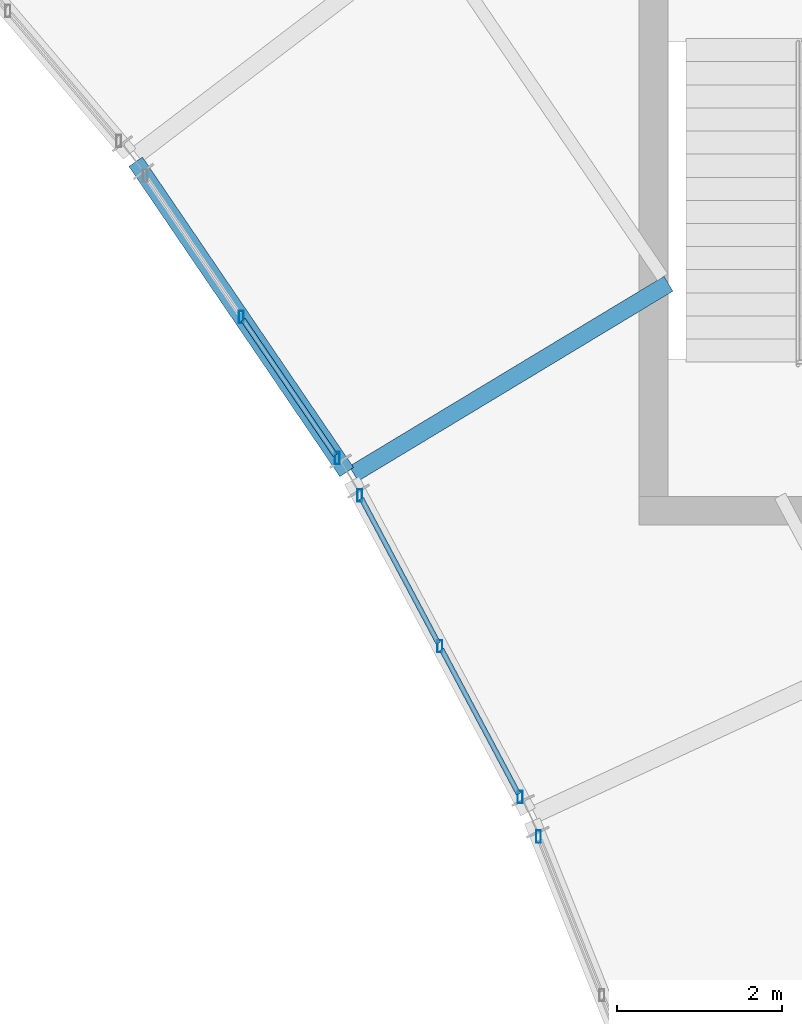
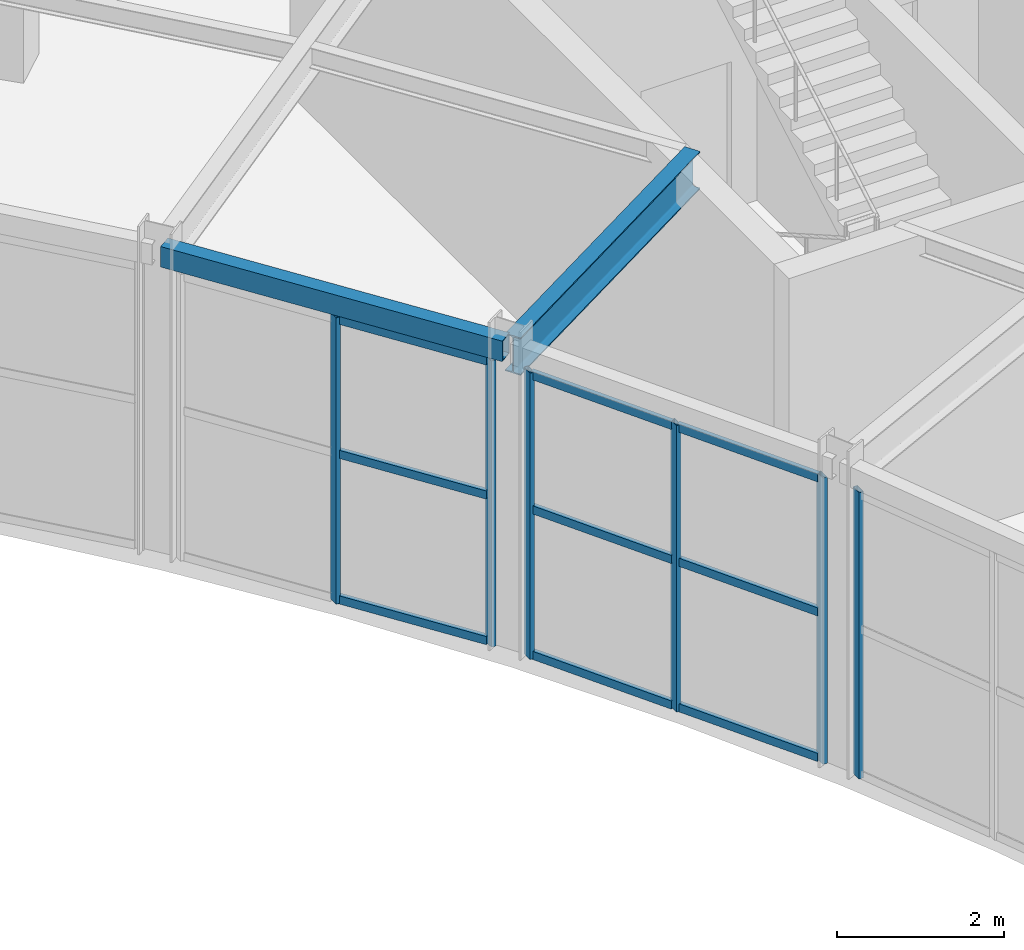
# One storey, part 72 of 108: 15 members, 2 beams, 3 elements without a shape of their own.
"""IFC4 building model written with IfcOpenShell, lengths in metres."""

from ifc_helpers import new_model, si_unit, direction, frame, origin, origin_2d, place, context, subcontext, project, spatial, hollow_rectangle, i_section, extrude, material, material_profile, profile_set, type_object, element, aggregate, save


model = new_model("IFC4")

# Units and contexts
model_context = context("Model", 3, precision=1e-05, world=origin(), true_north=direction((0.0, 1.0)))
body_context = subcontext(model_context, "Body", "Model", "MODEL_VIEW")
ifc_project = project(units=[si_unit("LENGTHUNIT", "METRE"), si_unit("AREAUNIT", "SQUARE_METRE"), si_unit("VOLUMEUNIT", "CUBIC_METRE"), si_unit("PLANEANGLEUNIT", "RADIAN"), si_unit("MASSUNIT", "GRAM", prefix="KILO")], contexts=[model_context])

# Site, building, storey
site_placement = place(None, origin())
site = spatial("IfcSite", under=ifc_project, at=site_placement, CompositionType="ELEMENT")
building_placement = place(site_placement, origin())
building = spatial("IfcBuilding", under=site, at=building_placement, Name="Tarnveldt Headland Concert Hall", CompositionType="ELEMENT")
storey_placement = place(building_placement, frame((0.0, 0.0, 9.60009765625)))
storey = spatial("IfcBuildingStorey", under=building, at=storey_placement, Name="L02", CompositionType="ELEMENT", Elevation=9.60009765625)

# Curtain wall, member
ifc_material_1 = material(Name="Marine-anodised aluminium EN AW-6063-T6", Category="aluminium")
curtain_wall_type = type_object("IfcCurtainWallType", Name="CW-C3", PredefinedType="NOTDEFINED", material=ifc_material_1)
curtain_wall_1_placement = place(storey_placement, origin())
curtain_wall_1 = element("IfcCurtainWall", 1, at=curtain_wall_1_placement, inside=storey, type_object=curtain_wall_type, Name="Curtain wall CW-L02-130", PredefinedType="NOTDEFINED")
ifc_material_profile_1 = material_profile(ifc_material_1, hollow_rectangle(XDim=0.06005859375, YDim=0.14990234375, WallThickness=0.00390625, at=origin_2d()), Name="ALU MULLION 60x150x4", Category="aluminium")
ifc_profile_set_1 = profile_set([ifc_material_profile_1], Name="Marine-anodised aluminium EN AW-6063-T6")
member_type_1 = type_object("IfcMemberType", Name="ML-150", PredefinedType="MULLION", material=ifc_profile_set_1)
member_1_placement = place(storey_placement, frame((156.604736328125, 77.850830078125, 0.0), z_axis=(0.0, 0.0, 1.0), x_axis=(1.0, 0.0, 0.0)))
member_1 = element("IfcMember", 2, at=member_1_placement, type_object=member_type_1, Name="Mullion CW-L02-130-3", PredefinedType="MULLION", context=body_context, shape_type="SweptSolid", body=[
    extrude(hollow_rectangle(XDim=0.06005859375, YDim=0.14990234375, WallThickness=0.00390625, at=origin_2d()), origin(), (0.0, 0.0, 1.0), 4.18994140625),
])
aggregate(curtain_wall_1, [member_1])

# Curtain wall, members
curtain_wall_2_placement = place(storey_placement, origin())
curtain_wall_2 = element("IfcCurtainWall", 3, at=curtain_wall_2_placement, inside=storey, type_object=curtain_wall_type, Name="Curtain wall CW-L02-131", PredefinedType="NOTDEFINED")
member_2_placement = place(storey_placement, frame((156.382080078125, 78.3310546875, 0.0), z_axis=(0.0, 0.0, 1.0), x_axis=(1.0, 0.0, 0.0)))
member_2 = element("IfcMember", 4, at=member_2_placement, type_object=member_type_1, Name="Mullion CW-L02-131-1", PredefinedType="MULLION", context=body_context, shape_type="SweptSolid", body=[
    extrude(hollow_rectangle(XDim=0.06005859375, YDim=0.14990234375, WallThickness=0.00390625, at=origin_2d()), origin(), (0.0, 0.0, 1.0), 4.18994140625),
])
member_3_placement = place(storey_placement, frame((155.410888671875, 80.15771484375, 0.0), z_axis=(0.0, 0.0, 1.0), x_axis=(1.0, 0.0, 0.0)))
member_3 = element("IfcMember", 5, at=member_3_placement, type_object=member_type_1, Name="Mullion CW-L02-131-2", PredefinedType="MULLION", context=body_context, shape_type="SweptSolid", body=[
    extrude(hollow_rectangle(XDim=0.06005859375, YDim=0.14990234375, WallThickness=0.00390625, at=origin_2d()), origin(), (0.0, 0.0, 1.0), 4.18994140625),
])
member_4_placement = place(storey_placement, frame((154.439697265625, 81.984130859375, 0.0), z_axis=(0.0, 0.0, 1.0), x_axis=(1.0, 0.0, 0.0)))
member_4 = element("IfcMember", 6, at=member_4_placement, type_object=member_type_1, Name="Mullion CW-L02-131-3", PredefinedType="MULLION", context=body_context, shape_type="SweptSolid", body=[
    extrude(hollow_rectangle(XDim=0.06005859375, YDim=0.14990234375, WallThickness=0.00390625, at=origin_2d()), origin(), (0.0, 0.0, 1.0), 4.18994140625),
])

curtain_wall_3_placement = place(storey_placement, origin())
curtain_wall_3 = element("IfcCurtainWall", 7, at=curtain_wall_3_placement, inside=storey, type_object=curtain_wall_type, Name="Curtain wall CW-L02-132", PredefinedType="NOTDEFINED")
member_5_placement = place(storey_placement, frame((154.166259765625, 82.437255859375, 0.0), z_axis=(0.0, 0.0, 1.0), x_axis=(1.0, 0.0, 0.0)))
member_5 = element("IfcMember", 8, at=member_5_placement, type_object=member_type_1, Name="Mullion CW-L02-132-1", PredefinedType="MULLION", context=body_context, shape_type="SweptSolid", body=[
    extrude(hollow_rectangle(XDim=0.06005859375, YDim=0.14990234375, WallThickness=0.00390625, at=origin_2d()), origin(), (0.0, 0.0, 1.0), 4.18994140625),
])
member_6_placement = place(storey_placement, frame((153.002685546875, 84.147705078125, 0.0), z_axis=(0.0, 0.0, 1.0), x_axis=(1.0, 0.0, 0.0)))
member_6 = element("IfcMember", 9, at=member_6_placement, type_object=member_type_1, Name="Mullion CW-L02-132-2", PredefinedType="MULLION", context=body_context, shape_type="SweptSolid", body=[
    extrude(hollow_rectangle(XDim=0.06005859375, YDim=0.14990234375, WallThickness=0.00390625, at=origin_2d()), origin(), (0.0, 0.0, 1.0), 4.18994140625),
])

# Beams
ifc_material_2 = material(Name="Steel S355", Category="steel")
ifc_material_profile_2 = material_profile(ifc_material_2, i_section(OverallWidth=0.2099609375, OverallDepth=0.550048828125, WebThickness=0.010986328125, FlangeThickness=0.01708984375, FilletRadius=0.02392578125, at=origin_2d()), Name="IPE550", Category="steel")
ifc_profile_set_2 = profile_set([ifc_material_profile_2], Name="Steel S355")
beam_type_1 = type_object("IfcBeamType", Name="SB-IPE550", PredefinedType="BEAM", material=ifc_profile_set_2)
beam_1_placement = place(storey_placement, frame((154.36669921875, 82.2490234375, 4.27490234375), z_axis=(0.856145433593, 0.516734938375, 0.0), x_axis=(-0.516734938375, 0.856145433593, 0.0)))
element("IfcBeam", 10, at=beam_1_placement, inside=storey, type_object=beam_type_1, Name="Framing beam L02-1136", PredefinedType="BEAM", context=body_context, shape_type="SweptSolid", body=[
    extrude(i_section(OverallWidth=0.2099609375, OverallDepth=0.550048828125, WebThickness=0.010986328125, FlangeThickness=0.01708984375, FilletRadius=0.02392578125, at=origin_2d()), origin(), (0.0, 0.0, 1.0), 4.453857421875),
])
ifc_material_profile_3 = material_profile(ifc_material_2, hollow_rectangle(XDim=0.199951171875, YDim=0.300048828125, WallThickness=0.012451171875, at=origin_2d()), Name="RHS 300x200x12.5", Category="steel")
ifc_profile_set_3 = profile_set([ifc_material_profile_3], Name="Steel S355")
beam_type_2 = type_object("IfcBeamType", Name="SB-RHS300", PredefinedType="SPANDREL", material=ifc_profile_set_3)
beam_2_placement = place(storey_placement, frame((154.281494140625, 82.267578125, 4.39990234375), z_axis=(-0.562406932975, 0.826860593898, 0.0), x_axis=(-0.826860593898, -0.562406932975, 0.0)))
element("IfcBeam", 11, at=beam_2_placement, inside=storey, type_object=beam_type_2, Name="Framing beam L02-1138", PredefinedType="SPANDREL", context=body_context, shape_type="SweptSolid", body=[
    extrude(hollow_rectangle(XDim=0.199951171875, YDim=0.300048828125, WallThickness=0.012451171875, at=origin_2d()), origin(), (0.0, 0.0, 1.0), 4.547607421875),
])

# Member
ifc_material_profile_4 = material_profile(ifc_material_1, hollow_rectangle(XDim=0.06005859375, YDim=0.1201171875, WallThickness=0.00390625, at=origin_2d()), Name="ALU TRANSOM 60x120x4", Category="aluminium")
ifc_profile_set_4 = profile_set([ifc_material_profile_4], Name="Marine-anodised aluminium EN AW-6063-T6")
member_type_2 = type_object("IfcMemberType", Name="TR-110", PredefinedType="MEMBER", material=ifc_profile_set_4)
member_7_placement = place(storey_placement, frame((156.3623046875, 78.3681640625, 0.0498046875), z_axis=(-0.469508932223, 0.882927722163, 0.0), x_axis=(-0.882927722163, -0.469508932223, 0.0)))
member_7 = element("IfcMember", 12, at=member_7_placement, type_object=member_type_2, Name="Transom CW-L02-131-1-1", PredefinedType="MEMBER", context=body_context, shape_type="SweptSolid", body=[
    extrude(hollow_rectangle(XDim=0.06005859375, YDim=0.1201171875, WallThickness=0.00390625, at=origin_2d()), origin(), (0.0, 0.0, 1.0), 1.98486328125),
])

member_8_placement = place(storey_placement, frame((156.3623046875, 78.3681640625, 2.1787109375), z_axis=(-0.469508932223, 0.882927722163, 0.0), x_axis=(-0.882927722163, -0.469508932223, 0.0)))
member_8 = element("IfcMember", 13, at=member_8_placement, type_object=member_type_2, Name="Transom CW-L02-131-1-2", PredefinedType="MEMBER", context=body_context, shape_type="SweptSolid", body=[
    extrude(hollow_rectangle(XDim=0.06005859375, YDim=0.1201171875, WallThickness=0.00390625, at=origin_2d()), origin(), (0.0, 0.0, 1.0), 1.98486328125),
])

member_9_placement = place(storey_placement, frame((156.3623046875, 78.3681640625, 4.139892578125), z_axis=(-0.469508932223, 0.882927722163, 0.0), x_axis=(-0.882927722163, -0.469508932223, 0.0)))
member_9 = element("IfcMember", 14, at=member_9_placement, type_object=member_type_2, Name="Transom CW-L02-131-1-3", PredefinedType="MEMBER", context=body_context, shape_type="SweptSolid", body=[
    extrude(hollow_rectangle(XDim=0.06005859375, YDim=0.1201171875, WallThickness=0.00390625, at=origin_2d()), origin(), (0.0, 0.0, 1.0), 1.98486328125),
])

member_10_placement = place(storey_placement, frame((155.39111328125, 80.194580078125, 0.0498046875), z_axis=(-0.469508932223, 0.882927722163, 0.0), x_axis=(-0.882927722163, -0.469508932223, 0.0)))
member_10 = element("IfcMember", 15, at=member_10_placement, type_object=member_type_2, Name="Transom CW-L02-131-2-1", PredefinedType="MEMBER", context=body_context, shape_type="SweptSolid", body=[
    extrude(hollow_rectangle(XDim=0.06005859375, YDim=0.1201171875, WallThickness=0.00390625, at=origin_2d()), origin(), (0.0, 0.0, 1.0), 1.98486328125),
])

member_11_placement = place(storey_placement, frame((155.39111328125, 80.194580078125, 2.1787109375), z_axis=(-0.469508932223, 0.882927722163, 0.0), x_axis=(-0.882927722163, -0.469508932223, 0.0)))
member_11 = element("IfcMember", 16, at=member_11_placement, type_object=member_type_2, Name="Transom CW-L02-131-2-2", PredefinedType="MEMBER", context=body_context, shape_type="SweptSolid", body=[
    extrude(hollow_rectangle(XDim=0.06005859375, YDim=0.1201171875, WallThickness=0.00390625, at=origin_2d()), origin(), (0.0, 0.0, 1.0), 1.98486328125),
])

member_12_placement = place(storey_placement, frame((155.39111328125, 80.194580078125, 4.139892578125), z_axis=(-0.469508932223, 0.882927722163, 0.0), x_axis=(-0.882927722163, -0.469508932223, 0.0)))
member_12 = element("IfcMember", 17, at=member_12_placement, type_object=member_type_2, Name="Transom CW-L02-131-2-3", PredefinedType="MEMBER", context=body_context, shape_type="SweptSolid", body=[
    extrude(hollow_rectangle(XDim=0.06005859375, YDim=0.1201171875, WallThickness=0.00390625, at=origin_2d()), origin(), (0.0, 0.0, 1.0), 1.98486328125),
])

aggregate(curtain_wall_2, [member_2, member_3, member_4, member_7, member_8, member_9, member_10, member_11, member_12])

member_13_placement = place(storey_placement, frame((154.142578125, 82.471923828125, 0.0498046875), z_axis=(-0.562397497363, 0.826867011653, 0.0), x_axis=(-0.826867011653, -0.562397497363, 0.0)))
member_13 = element("IfcMember", 18, at=member_13_placement, type_object=member_type_2, Name="Transom CW-L02-132-1-1", PredefinedType="MEMBER", context=body_context, shape_type="SweptSolid", body=[
    extrude(hollow_rectangle(XDim=0.06005859375, YDim=0.1201171875, WallThickness=0.00390625, at=origin_2d()), origin(), (0.0, 0.0, 1.0), 1.984619140625),
])

member_14_placement = place(storey_placement, frame((154.142578125, 82.471923828125, 2.1787109375), z_axis=(-0.562397497363, 0.826867011653, 0.0), x_axis=(-0.826867011653, -0.562397497363, 0.0)))
member_14 = element("IfcMember", 19, at=member_14_placement, type_object=member_type_2, Name="Transom CW-L02-132-1-2", PredefinedType="MEMBER", context=body_context, shape_type="SweptSolid", body=[
    extrude(hollow_rectangle(XDim=0.06005859375, YDim=0.1201171875, WallThickness=0.00390625, at=origin_2d()), origin(), (0.0, 0.0, 1.0), 1.984619140625),
])

member_15_placement = place(storey_placement, frame((154.142578125, 82.471923828125, 4.139892578125), z_axis=(-0.562397497363, 0.826867011653, 0.0), x_axis=(-0.826867011653, -0.562397497363, 0.0)))
member_15 = element("IfcMember", 20, at=member_15_placement, type_object=member_type_2, Name="Transom CW-L02-132-1-3", PredefinedType="MEMBER", context=body_context, shape_type="SweptSolid", body=[
    extrude(hollow_rectangle(XDim=0.06005859375, YDim=0.1201171875, WallThickness=0.00390625, at=origin_2d()), origin(), (0.0, 0.0, 1.0), 1.984619140625),
])

aggregate(curtain_wall_3, [member_5, member_6, member_13, member_14, member_15])

save(model, "model.ifc")
